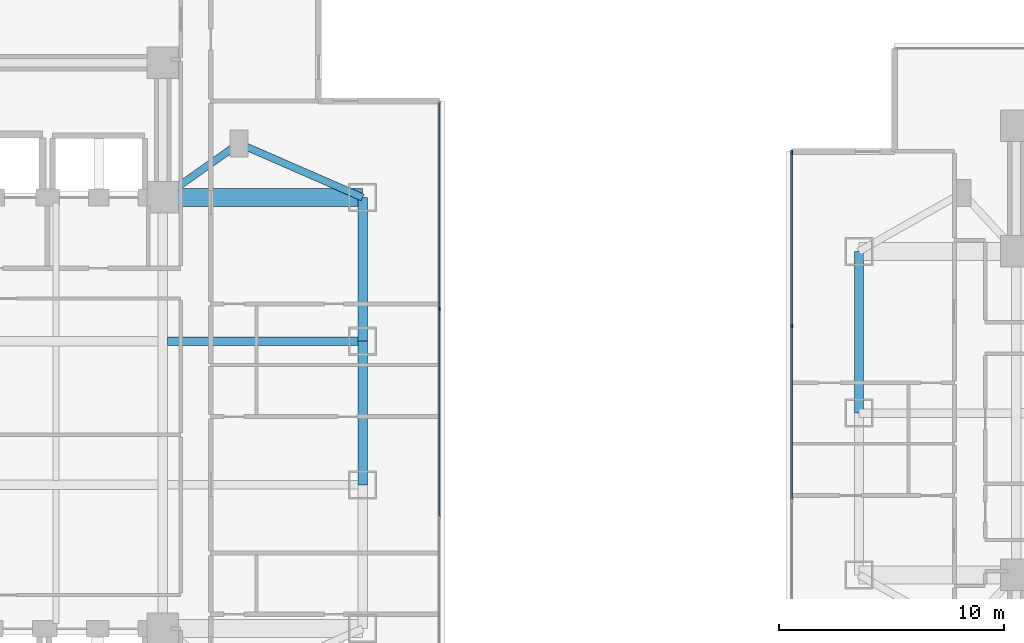
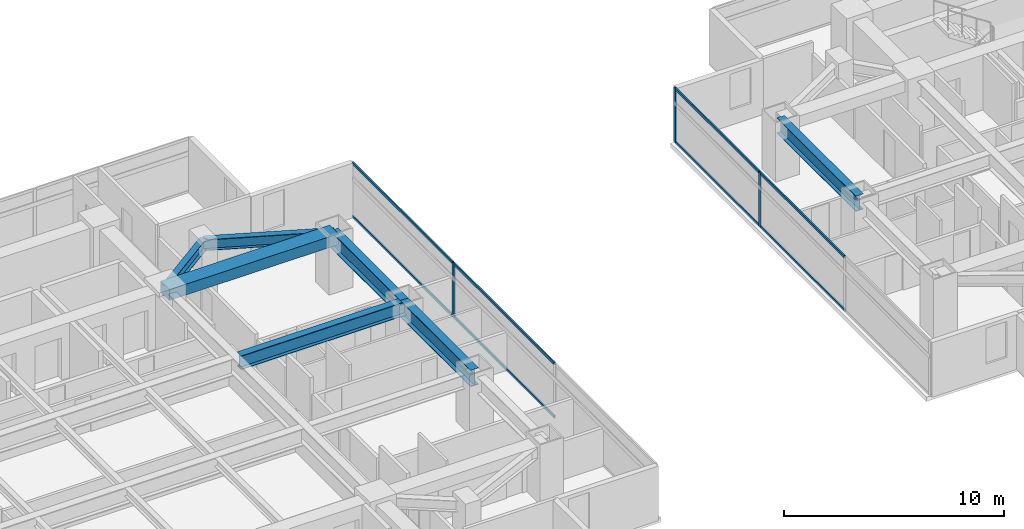
# One storey, part 6 of 25: 11 members, 7 beams, 2 elements without a shape of their own.
"""IFC4 building model written with IfcOpenShell, lengths in metres."""

from ifc_helpers import new_model, si_unit, direction, frame, origin, origin_2d, place, context, subcontext, project, spatial, rectangle, i_section, extrude, material, material_profile, profile_set, type_object, element, aggregate, save


model = new_model("IFC4")

# Units and contexts
model_context = context("Model", 3, precision=1e-05, world=origin(), true_north=direction((0.0, 1.0)))
body_context = subcontext(model_context, "Body", "Model", "MODEL_VIEW")
ifc_project = project(units=[si_unit("LENGTHUNIT", "METRE"), si_unit("AREAUNIT", "SQUARE_METRE"), si_unit("VOLUMEUNIT", "CUBIC_METRE"), si_unit("PLANEANGLEUNIT", "RADIAN"), si_unit("MASSUNIT", "GRAM", prefix="KILO")], contexts=[model_context])

# Site, building, storey
site_placement = place(None, origin())
site = spatial("IfcSite", under=ifc_project, at=site_placement, CompositionType="ELEMENT")
building_placement = place(site_placement, origin())
building = spatial("IfcBuilding", under=site, at=building_placement, Name="Mirazonda Arch Towers", CompositionType="ELEMENT")
storey_placement = place(building_placement, frame((0.0, 0.0, 32.300048828125)))
storey = spatial("IfcBuildingStorey", under=building, at=storey_placement, Name="L08", CompositionType="ELEMENT", Elevation=32.300048828125)

# Beams
ifc_material_1 = material(Name="Steel ASTM A992 Grade 50", Category="steel")
ifc_material_profile_1 = material_profile(ifc_material_1, i_section(OverallWidth=0.39990234375, OverallDepth=0.85595703125, WebThickness=0.018310546875, FlangeThickness=0.029296875, at=origin_2d()), Name="W33X201")
ifc_profile_set_1 = profile_set([ifc_material_profile_1], Name="Steel ASTM A992 Grade 50")
beam_type_1 = type_object("IfcBeamType", Name="BM-EXT-W33X201", PredefinedType="USERDEFINED", material=ifc_profile_set_1)
beam_1_placement = place(storey_placement, frame((61.0, 28.0, 2.6318359375), z_axis=(0.0, 1.0, 0.0), x_axis=(-1.0, 0.0, 0.0)))
element("IfcBeam", 1, at=beam_1_placement, inside=storey, type_object=beam_type_1, Name="L08 Floor Beam BM-T2-L08-NS-W-28", ObjectType="GIRDER", PredefinedType="USERDEFINED", context=body_context, shape_type="SweptSolid", body=[
    extrude(i_section(OverallWidth=0.39990234375, OverallDepth=0.85595703125, WebThickness=0.018310546875, FlangeThickness=0.029296875, at=origin_2d()), origin(), (0.0, 0.0, 1.0), 7.199951171875),
])
ifc_material_profile_2 = material_profile(ifc_material_1, i_section(OverallWidth=0.41796875, OverallDepth=0.927001953125, WebThickness=0.019287109375, FlangeThickness=0.031982421875, at=origin_2d()), Name="W36X231")
ifc_profile_set_2 = profile_set([ifc_material_profile_2], Name="Steel ASTM A992 Grade 50")
beam_type_2 = type_object("IfcBeamType", Name="BM-EXT-W36X231", PredefinedType="USERDEFINED", material=ifc_profile_set_2)
beam_2_placement = place(storey_placement, frame((38.89990234375, 24.800048828125, 2.596435546875), z_axis=(0.0, 1.0, 0.0), x_axis=(-1.0, 0.0, 0.0)))
element("IfcBeam", 2, at=beam_2_placement, inside=storey, type_object=beam_type_2, Name="L08 Floor Beam BM-T1-L08-NS-E-24", ObjectType="GIRDER", PredefinedType="USERDEFINED", context=body_context, shape_type="SweptSolid", body=[
    extrude(i_section(OverallWidth=0.41796875, OverallDepth=0.927001953125, WebThickness=0.019287109375, FlangeThickness=0.031982421875, at=origin_2d()), origin(), (0.0, 0.0, 1.0), 6.39990234375),
])
beam_3_placement = place(storey_placement, frame((38.89990234375, 31.199951171875, 2.596435546875), z_axis=(0.0, 1.0, 0.0), x_axis=(-1.0, 0.0, 0.0)))
element("IfcBeam", 3, at=beam_3_placement, inside=storey, type_object=beam_type_2, Name="L08 Floor Beam BM-T1-L08-NS-E-31", ObjectType="GIRDER", PredefinedType="USERDEFINED", context=body_context, shape_type="SweptSolid", body=[
    extrude(i_section(OverallWidth=0.41796875, OverallDepth=0.927001953125, WebThickness=0.019287109375, FlangeThickness=0.031982421875, at=origin_2d()), origin(), (0.0, 0.0, 1.0), 6.400146484375),
])
ifc_material_profile_3 = material_profile(ifc_material_1, i_section(OverallWidth=0.324951171875, OverallDepth=0.615966796875, WebThickness=0.013916015625, FlangeThickness=0.021484375, at=origin_2d()), Name="W24X117")
ifc_profile_set_3 = profile_set([ifc_material_profile_3], Name="Steel ASTM A992 Grade 50")
beam_type_3 = type_object("IfcBeamType", Name="BM-INT-W24X117", PredefinedType="BEAM", material=ifc_profile_set_3)
beam_4_placement = place(storey_placement, frame((33.39990234375, 40.0, 2.751953125), z_axis=(-0.816971114901, -0.576678591087, 0.0), x_axis=(0.576678591087, -0.816971114901, 0.0)))
element("IfcBeam", 4, at=beam_4_placement, inside=storey, type_object=beam_type_3, Name="L08 Floor Beam BM-T1-L08-PL-NE1", PredefinedType="BEAM", context=body_context, shape_type="SweptSolid", body=[
    extrude(i_section(OverallWidth=0.324951171875, OverallDepth=0.615966796875, WebThickness=0.013916015625, FlangeThickness=0.021484375, at=origin_2d()), origin(), (0.0, 0.0, 1.0), 4.16162109375),
])
beam_5_placement = place(storey_placement, frame((33.39990234375, 40.0, 2.751953125), z_axis=(0.916545343703, -0.399930785183, 0.0), x_axis=(0.399930785183, 0.916545343703, 0.0)))
element("IfcBeam", 5, at=beam_5_placement, inside=storey, type_object=beam_type_3, Name="L08 Floor Beam BM-T1-L08-PL-NE2", PredefinedType="BEAM", context=body_context, shape_type="SweptSolid", body=[
    extrude(i_section(OverallWidth=0.324951171875, OverallDepth=0.615966796875, WebThickness=0.013916015625, FlangeThickness=0.021484375, at=origin_2d()), origin(), (0.0, 0.0, 1.0), 6.000732421875),
])
ifc_material_profile_4 = material_profile(ifc_material_1, i_section(OverallWidth=0.381103515625, OverallDepth=0.77294921875, WebThickness=0.0166015625, FlangeThickness=0.027099609375, at=origin_2d()), Name="W30X173")
ifc_profile_set_4 = profile_set([ifc_material_profile_4], Name="Steel ASTM A992 Grade 50")
beam_type_4 = type_object("IfcBeamType", Name="BM-INT-W30X173", PredefinedType="USERDEFINED", material=ifc_profile_set_4)
beam_6_placement = place(storey_placement, frame((30.21142578125, 31.199951171875, 2.67333984375), z_axis=(1.0, 0.0, 0.0), x_axis=(0.0, 1.0, 0.0)))
element("IfcBeam", 6, at=beam_6_placement, inside=storey, type_object=beam_type_4, Name="L08 Floor Beam BM-T1-L08-GE3", ObjectType="GIRDER", PredefinedType="USERDEFINED", context=body_context, shape_type="SweptSolid", body=[
    extrude(i_section(OverallWidth=0.381103515625, OverallDepth=0.77294921875, WebThickness=0.0166015625, FlangeThickness=0.027099609375, at=origin_2d()), origin(), (0.0, 0.0, 1.0), 8.6884765625),
])
ifc_material_2 = material(Name="Concrete C60/75", Category="concrete")
ifc_material_profile_5 = material_profile(ifc_material_2, rectangle(XDim=0.800048828125, YDim=0.60009765625, at=origin_2d()), Name="RCCB800x600")
ifc_profile_set_5 = profile_set([ifc_material_profile_5], Name="Concrete C60/75")
beam_type_5 = type_object("IfcBeamType", Name="CB-INT-RCCB800x600", PredefinedType="SPANDREL", material=ifc_profile_set_5)
beam_7_placement = place(storey_placement, frame((30.0, 37.60009765625, 2.760009765625), z_axis=(1.0, 0.0, 0.0), x_axis=(0.0, 1.0, 0.0)))
element("IfcBeam", 7, at=beam_7_placement, inside=storey, type_object=beam_type_5, Name="L08 Floor Beam CBC-T1-L08-NE", PredefinedType="SPANDREL", context=body_context, shape_type="SweptSolid", body=[
    extrude(rectangle(XDim=0.800048828125, YDim=0.60009765625, at=origin_2d()), origin(), (0.0, 0.0, 1.0), 8.89990234375),
])

# Curtain wall, member
ifc_material_3 = material(Name="Anodised Aluminium and Low-E Glass", Category="aluminium")
curtain_wall_type = type_object("IfcCurtainWallType", Name="CW-HTL-UNIT", PredefinedType="NOTDEFINED", material=ifc_material_3)
curtain_wall_1_placement = place(storey_placement, origin())
curtain_wall_1 = element("IfcCurtainWall", 8, at=curtain_wall_1_placement, inside=storey, type_object=curtain_wall_type, Name="L08 T1 E Facade CW-L08-T1-E", PredefinedType="NOTDEFINED")
ifc_material_4 = material(Name="Anodised Aluminium Alloy", Category="aluminium")
ifc_material_profile_6 = material_profile(ifc_material_4, rectangle(XDim=0.074951171875, YDim=0.1650390625, at=origin_2d()), Name="ALU-MULL-75x165")
ifc_profile_set_6 = profile_set([ifc_material_profile_6], Name="Anodised Aluminium Alloy")
member_type_1 = type_object("IfcMemberType", Name="MULL-CW-HTL-UNIT", PredefinedType="MULLION", material=ifc_profile_set_6)
member_1_placement = place(storey_placement, frame((42.320068359375, 32.63134765625, 0.0), z_axis=(0.0, 0.0, 1.0), x_axis=(-1.0, 0.0, 0.0)))
member_1 = element("IfcMember", 9, at=member_1_placement, type_object=member_type_1, Name="CW-112 mullion 3", PredefinedType="MULLION", context=body_context, shape_type="SweptSolid", body=[
    extrude(rectangle(XDim=0.074951171875, YDim=0.1650390625, at=origin_2d()), origin(), (0.0, 0.0, 1.0), 3.0400390625),
])

# Curtain wall, members
curtain_wall_2_placement = place(storey_placement, origin())
curtain_wall_2 = element("IfcCurtainWall", 10, at=curtain_wall_2_placement, inside=storey, type_object=curtain_wall_type, Name="L08 T2 W Facade CW-L08-T2-W", PredefinedType="NOTDEFINED")
member_2_placement = place(storey_placement, frame((58.006103515625, 39.6123046875, 0.0), z_axis=(0.0, 0.0, 1.0), x_axis=(1.0, 0.0, 0.0)))
member_2 = element("IfcMember", 11, at=member_2_placement, type_object=member_type_1, Name="CW-112 mullion 1", PredefinedType="MULLION", context=body_context, shape_type="SweptSolid", body=[
    extrude(rectangle(XDim=0.074951171875, YDim=0.1650390625, at=origin_2d()), origin(), (0.0, 0.0, 1.0), 3.0400390625),
])
member_3_placement = place(storey_placement, frame((58.006103515625, 31.88330078125, 0.0), z_axis=(0.0, 0.0, 1.0), x_axis=(1.0, 0.0, 0.0)))
member_3 = element("IfcMember", 12, at=member_3_placement, type_object=member_type_1, Name="CW-112 mullion 2", PredefinedType="MULLION", context=body_context, shape_type="SweptSolid", body=[
    extrude(rectangle(XDim=0.074951171875, YDim=0.1650390625, at=origin_2d()), origin(), (0.0, 0.0, 1.0), 3.0400390625),
])

# Member
ifc_material_profile_7 = material_profile(ifc_material_4, rectangle(XDim=0.074951171875, YDim=0.14501953125, at=origin_2d()), Name="ALU-TRAN-75x145")
ifc_profile_set_7 = profile_set([ifc_material_profile_7], Name="Anodised Aluminium Alloy")
member_type_2 = type_object("IfcMemberType", Name="TRAN-CW-HTL-UNIT", PredefinedType="USERDEFINED", material=ifc_profile_set_7)
member_4_placement = place(storey_placement, frame((42.320068359375, 23.40625, 0.037353515625), z_axis=(0.0, 1.0, 0.0), x_axis=(-1.0, 0.0, 0.0)))
member_4 = element("IfcMember", 13, at=member_4_placement, type_object=member_type_2, Name="CW-112 transom 2.1", ObjectType="TRANSOM", PredefinedType="USERDEFINED", context=body_context, shape_type="SweptSolid", body=[
    extrude(rectangle(XDim=0.074951171875, YDim=0.14501953125, at=origin_2d()), origin(), (0.0, 0.0, 1.0), 9.1875),
])

member_5_placement = place(storey_placement, frame((42.320068359375, 23.40625, 3.00244140625), z_axis=(0.0, 1.0, 0.0), x_axis=(-1.0, 0.0, 0.0)))
member_5 = element("IfcMember", 14, at=member_5_placement, type_object=member_type_2, Name="CW-112 transom 2.2", ObjectType="TRANSOM", PredefinedType="USERDEFINED", context=body_context, shape_type="SweptSolid", body=[
    extrude(rectangle(XDim=0.074951171875, YDim=0.14501953125, at=origin_2d()), origin(), (0.0, 0.0, 1.0), 9.1875),
])

member_6_placement = place(storey_placement, frame((42.320068359375, 32.6689453125, 0.037353515625), z_axis=(0.0, 1.0, 0.0), x_axis=(-1.0, 0.0, 0.0)))
member_6 = element("IfcMember", 15, at=member_6_placement, type_object=member_type_2, Name="CW-112 transom 3.1", ObjectType="TRANSOM", PredefinedType="USERDEFINED", context=body_context, shape_type="SweptSolid", body=[
    extrude(rectangle(XDim=0.074951171875, YDim=0.14501953125, at=origin_2d()), origin(), (0.0, 0.0, 1.0), 9.150146484375),
])

member_7_placement = place(storey_placement, frame((42.320068359375, 32.6689453125, 3.00244140625), z_axis=(0.0, 1.0, 0.0), x_axis=(-1.0, 0.0, 0.0)))
member_7 = element("IfcMember", 16, at=member_7_placement, type_object=member_type_2, Name="CW-112 transom 3.2", ObjectType="TRANSOM", PredefinedType="USERDEFINED", context=body_context, shape_type="SweptSolid", body=[
    extrude(rectangle(XDim=0.074951171875, YDim=0.14501953125, at=origin_2d()), origin(), (0.0, 0.0, 1.0), 9.150146484375),
])

aggregate(curtain_wall_1, [member_1, member_4, member_5, member_6, member_7])

member_8_placement = place(storey_placement, frame((58.006103515625, 39.574951171875, 0.037353515625), z_axis=(0.0, -1.0, 0.0), x_axis=(1.0, 0.0, 0.0)))
member_8 = element("IfcMember", 17, at=member_8_placement, type_object=member_type_2, Name="CW-112 transom 1.1", ObjectType="TRANSOM", PredefinedType="USERDEFINED", context=body_context, shape_type="SweptSolid", body=[
    extrude(rectangle(XDim=0.074951171875, YDim=0.14501953125, at=origin_2d()), origin(), (0.0, 0.0, 1.0), 7.654052734375),
])

member_9_placement = place(storey_placement, frame((58.006103515625, 39.574951171875, 3.00244140625), z_axis=(0.0, -1.0, 0.0), x_axis=(1.0, 0.0, 0.0)))
member_9 = element("IfcMember", 18, at=member_9_placement, type_object=member_type_2, Name="CW-112 transom 1.2", ObjectType="TRANSOM", PredefinedType="USERDEFINED", context=body_context, shape_type="SweptSolid", body=[
    extrude(rectangle(XDim=0.074951171875, YDim=0.14501953125, at=origin_2d()), origin(), (0.0, 0.0, 1.0), 7.654052734375),
])

member_10_placement = place(storey_placement, frame((58.006103515625, 31.845703125, 0.037353515625), z_axis=(0.0, -1.0, 0.0), x_axis=(1.0, 0.0, 0.0)))
member_10 = element("IfcMember", 19, at=member_10_placement, type_object=member_type_2, Name="CW-112 transom 2.1", ObjectType="TRANSOM", PredefinedType="USERDEFINED", context=body_context, shape_type="SweptSolid", body=[
    extrude(rectangle(XDim=0.074951171875, YDim=0.14501953125, at=origin_2d()), origin(), (0.0, 0.0, 1.0), 7.69140625),
])

member_11_placement = place(storey_placement, frame((58.006103515625, 31.845703125, 3.00244140625), z_axis=(0.0, -1.0, 0.0), x_axis=(1.0, 0.0, 0.0)))
member_11 = element("IfcMember", 20, at=member_11_placement, type_object=member_type_2, Name="CW-112 transom 2.2", ObjectType="TRANSOM", PredefinedType="USERDEFINED", context=body_context, shape_type="SweptSolid", body=[
    extrude(rectangle(XDim=0.074951171875, YDim=0.14501953125, at=origin_2d()), origin(), (0.0, 0.0, 1.0), 7.69140625),
])

aggregate(curtain_wall_2, [member_2, member_3, member_8, member_9, member_10, member_11])

save(model, "model.ifc")
